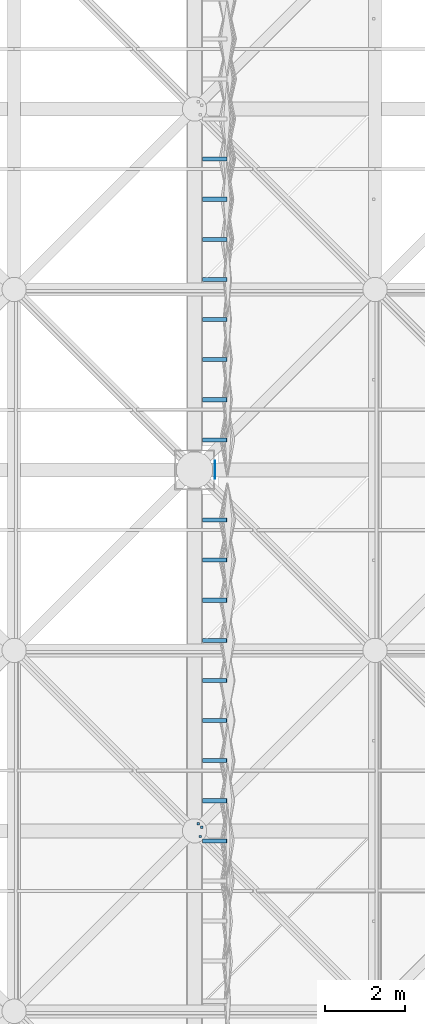
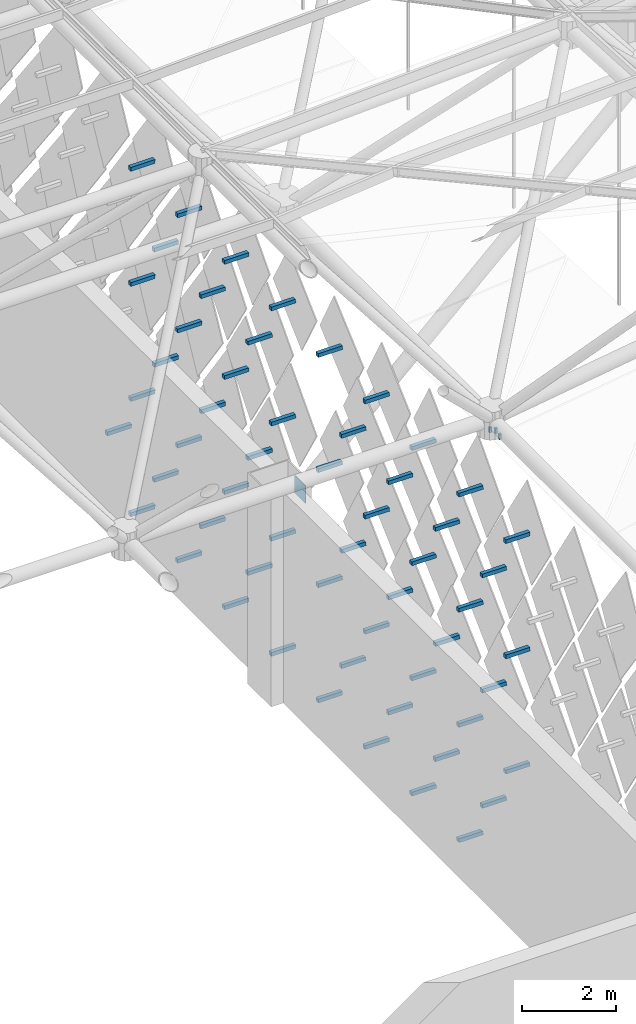
# One storey, part 375 of 437: 61 discrete accessories.
"""IFC4 building model written with IfcOpenShell, lengths in metres."""

from ifc_helpers import new_model, si_unit, direction, frame, origin, place, context, subcontext, project, spatial, polyline, outline, extrude, material, layer, layer_set, type_object, element, save


model = new_model("IFC4")

# Units and contexts
model_context = context("Model", 3, precision=1e-05, world=origin(), true_north=direction((0.0, 1.0)))
body_context = subcontext(model_context, "Body", "Model", "MODEL_VIEW")
ifc_project = project(units=[si_unit("LENGTHUNIT", "METRE"), si_unit("AREAUNIT", "SQUARE_METRE"), si_unit("VOLUMEUNIT", "CUBIC_METRE"), si_unit("PLANEANGLEUNIT", "RADIAN"), si_unit("MASSUNIT", "GRAM", prefix="KILO")], contexts=[model_context])

# Site, building, storey
site_placement = place(None, origin())
site = spatial("IfcSite", under=ifc_project, at=site_placement, CompositionType="ELEMENT")
building_placement = place(site_placement, origin())
building = spatial("IfcBuilding", under=site, at=building_placement, Name="Opaline Strait Convention Centre", CompositionType="ELEMENT")
storey_placement = place(building_placement, frame((0.0, 0.0, 11.5)))
storey = spatial("IfcBuildingStorey", under=building, at=storey_placement, Name="L02", CompositionType="ELEMENT", Elevation=11.5)

# Discrete accessories
ifc_material_1 = material(Name="Structural steel Q355B", Category="steel")
ifc_layer = layer(ifc_material_1, 0.01611328125)
ifc_layer_set = layer_set([ifc_layer], Name="Structural steel Q355B")
discrete_accessory_type_1 = type_object("IfcDiscreteAccessoryType", Name="Prop bearing plate 450 x 450 x 16", PredefinedType="ANCHORPLATE", material=ifc_layer_set)
discrete_accessory_1_placement = place(storey_placement, frame((0.0, 0.0, 4.7900390625)))
element("IfcDiscreteAccessory", 1, at=discrete_accessory_1_placement, inside=storey, type_object=discrete_accessory_type_1, Name="Prop bearing plate 261/90 E", PredefinedType="ANCHORPLATE", context=body_context, shape_type="SweptSolid", body=[
    extrude(outline(polyline([(261.5, 89.77490234375), (261.51611328125, 89.77490234375), (261.51611328125, 90.22509765625), (261.5, 90.22509765625), (261.5, 89.77490234375)])), origin(), (0.0, 0.0, 1.0), 0.449951171875),
])
ifc_material_2 = material(Name="Steel Q355B", Category="steel")
discrete_accessory_type_2 = type_object("IfcDiscreteAccessoryType", Name="Soffit hanger 60x60 steel", PredefinedType="BRACKET", material=ifc_material_2)
discrete_accessory_2_placement = place(storey_placement, frame((0.0, 0.0, 11.9990234375)))
element("IfcDiscreteAccessory", 2, at=discrete_accessory_2_placement, inside=storey, type_object=discrete_accessory_type_2, Name="Soffit hanger", PredefinedType="BRACKET", context=body_context, shape_type="SweptSolid", body=[
    extrude(outline(polyline([(261.111328125, 80.82861328125), (261.17138671875, 80.82861328125), (261.17138671875, 80.888671875), (261.111328125, 80.888671875), (261.111328125, 80.82861328125)])), origin(), (0.0, 0.0, 1.0), 0.140869140625),
])
discrete_accessory_3_placement = place(storey_placement, frame((0.0, 0.0, 11.99951171875)))
element("IfcDiscreteAccessory", 3, at=discrete_accessory_3_placement, inside=storey, type_object=discrete_accessory_type_2, Name="Soffit hanger", PredefinedType="BRACKET", context=body_context, shape_type="SweptSolid", body=[
    extrude(outline(polyline([(261.14892578125, 81.059326171875), (261.208984375, 81.059326171875), (261.208984375, 81.119140625), (261.14892578125, 81.119140625), (261.14892578125, 81.059326171875)])), origin(), (0.0, 0.0, 1.0), 0.140380859375),
])
discrete_accessory_4_placement = place(storey_placement, frame((0.0, 0.0, 12.000732421875)))
element("IfcDiscreteAccessory", 4, at=discrete_accessory_4_placement, inside=storey, type_object=discrete_accessory_type_2, Name="Soffit hanger", PredefinedType="BRACKET", context=body_context, shape_type="SweptSolid", body=[
    extrude(outline(polyline([(261.059326171875, 81.14892578125), (261.119140625, 81.14892578125), (261.119140625, 81.208984375), (261.059326171875, 81.208984375), (261.059326171875, 81.14892578125)])), origin(), (0.0, 0.0, 1.0), 0.13916015625),
])
discrete_accessory_type_3 = type_object("IfcDiscreteAccessoryType", Name="Tile bracket 100x100 steel", PredefinedType="BRACKET", material=ifc_material_2)
discrete_accessory_5_placement = place(storey_placement, frame((261.199951171875, 82.699951171875, 0.39208984375), z_axis=(0.0, 1.0, 0.0), x_axis=(-1.0, 0.0, 0.0)))
element("IfcDiscreteAccessory", 5, at=discrete_accessory_5_placement, inside=storey, type_object=discrete_accessory_type_3, Name="Tile bracket XT14 E", PredefinedType="BRACKET", context=body_context, shape_type="SweptSolid", body=[
    extrude(outline(polyline([(0.0, -0.050048828125), (0.0, 0.050048828125), (-0.59375, 0.050048828125), (-0.606201171875, -0.050048828125), (0.0, -0.050048828125)])), origin(), (0.0, 0.0, 1.0), 0.10009765625),
])
discrete_accessory_6_placement = place(storey_placement, frame((261.199951171875, 84.699951171875, 0.39208984375), z_axis=(0.0, 1.0, 0.0), x_axis=(-1.0, 0.0, 0.0)))
element("IfcDiscreteAccessory", 6, at=discrete_accessory_6_placement, inside=storey, type_object=discrete_accessory_type_3, Name="Tile bracket XT12 E", PredefinedType="BRACKET", context=body_context, shape_type="SweptSolid", body=[
    extrude(outline(polyline([(0.0, -0.050048828125), (0.0, 0.050048828125), (-0.5947265625, 0.050048828125), (-0.605224609375, -0.050048828125), (0.0, -0.050048828125)])), origin(), (0.0, 0.0, 1.0), 0.10009765625),
])
discrete_accessory_7_placement = place(storey_placement, frame((261.199951171875, 86.699951171875, 0.39208984375), z_axis=(0.0, 1.0, 0.0), x_axis=(-1.0, 0.0, 0.0)))
element("IfcDiscreteAccessory", 7, at=discrete_accessory_7_placement, inside=storey, type_object=discrete_accessory_type_3, Name="Tile bracket XT08 E", PredefinedType="BRACKET", context=body_context, shape_type="SweptSolid", body=[
    extrude(outline(polyline([(0.0, -0.050048828125), (0.0, 0.050048828125), (-0.596435546875, 0.050048828125), (-0.603515625, -0.050048828125), (0.0, -0.050048828125)])), origin(), (0.0, 0.0, 1.0), 0.10009765625),
])
discrete_accessory_8_placement = place(storey_placement, frame((261.199951171875, 88.699951171875, 0.39208984375), z_axis=(0.0, 1.0, 0.0), x_axis=(-1.0, 0.0, 0.0)))
element("IfcDiscreteAccessory", 8, at=discrete_accessory_8_placement, inside=storey, type_object=discrete_accessory_type_3, Name="Tile bracket XT06 E", PredefinedType="BRACKET", context=body_context, shape_type="SweptSolid", body=[
    extrude(outline(polyline([(0.0, -0.050048828125), (0.0, 0.050048828125), (-0.597412109375, 0.050048828125), (-0.6025390625, -0.050048828125), (0.0, -0.050048828125)])), origin(), (0.0, 0.0, 1.0), 0.10009765625),
])
discrete_accessory_9_placement = place(storey_placement, frame((261.199951171875, 90.699951171875, 0.39208984375), z_axis=(0.0, 1.0, 0.0), x_axis=(-1.0, 0.0, 0.0)))
element("IfcDiscreteAccessory", 9, at=discrete_accessory_9_placement, inside=storey, type_object=discrete_accessory_type_3, Name="Tile bracket XT06 E", PredefinedType="BRACKET", context=body_context, shape_type="SweptSolid", body=[
    extrude(outline(polyline([(0.0, -0.050048828125), (0.0, 0.050048828125), (-0.6025390625, 0.050048828125), (-0.597412109375, -0.050048828125), (0.0, -0.050048828125)])), origin(), (0.0, 0.0, 1.0), 0.10009765625),
])
discrete_accessory_10_placement = place(storey_placement, frame((261.199951171875, 92.699951171875, 0.39208984375), z_axis=(0.0, 1.0, 0.0), x_axis=(-1.0, 0.0, 0.0)))
element("IfcDiscreteAccessory", 10, at=discrete_accessory_10_placement, inside=storey, type_object=discrete_accessory_type_3, Name="Tile bracket XT08 E", PredefinedType="BRACKET", context=body_context, shape_type="SweptSolid", body=[
    extrude(outline(polyline([(0.0, -0.050048828125), (0.0, 0.050048828125), (-0.603515625, 0.050048828125), (-0.596435546875, -0.050048828125), (0.0, -0.050048828125)])), origin(), (0.0, 0.0, 1.0), 0.10009765625),
])
discrete_accessory_11_placement = place(storey_placement, frame((261.199951171875, 94.699951171875, 0.39208984375), z_axis=(0.0, 1.0, 0.0), x_axis=(-1.0, 0.0, 0.0)))
element("IfcDiscreteAccessory", 11, at=discrete_accessory_11_placement, inside=storey, type_object=discrete_accessory_type_3, Name="Tile bracket XT13 E", PredefinedType="BRACKET", context=body_context, shape_type="SweptSolid", body=[
    extrude(outline(polyline([(0.0, -0.050048828125), (0.0, 0.050048828125), (-0.605712890625, 0.050048828125), (-0.59423828125, -0.050048828125), (0.0, -0.050048828125)])), origin(), (0.0, 0.0, 1.0), 0.10009765625),
])
discrete_accessory_12_placement = place(storey_placement, frame((261.199951171875, 96.699951171875, 0.39208984375), z_axis=(0.0, 1.0, 0.0), x_axis=(-1.0, 0.0, 0.0)))
element("IfcDiscreteAccessory", 12, at=discrete_accessory_12_placement, inside=storey, type_object=discrete_accessory_type_3, Name="Tile bracket XT16 E", PredefinedType="BRACKET", context=body_context, shape_type="SweptSolid", body=[
    extrude(outline(polyline([(0.0, -0.050048828125), (0.0, 0.050048828125), (-0.60693359375, 0.050048828125), (-0.593017578125, -0.050048828125), (0.0, -0.050048828125)])), origin(), (0.0, 0.0, 1.0), 0.10009765625),
])
for number, where, z_axis, x_axis, name in (
    (13, (261.199951171875, 81.699951171875, 1.89208984375), (0.0, 1.0, 0.0), (-1.0, 0.0, 0.0), "Tile bracket XT14 E"),
    (14, (261.199951171875, 83.699951171875, 1.89208984375), (0.0, 1.0, 0.0), (-1.0, 0.0, 0.0), "Tile bracket XT14 E"),
):
    element("IfcDiscreteAccessory", number, at=place(storey_placement, frame(where, z_axis=z_axis, x_axis=x_axis)), inside=storey, type_object=discrete_accessory_type_3, Name=name, PredefinedType="BRACKET", context=body_context, shape_type="SweptSolid", body=[
        extrude(outline(polyline([(0.0, -0.050048828125), (0.0, 0.050048828125), (-0.59375, 0.050048828125), (-0.606201171875, -0.050048828125), (0.0, -0.050048828125)])), origin(), (0.0, 0.0, 1.0), 0.10009765625),
    ])
discrete_accessory_13_placement = place(storey_placement, frame((261.199951171875, 85.699951171875, 1.89208984375), z_axis=(0.0, 1.0, 0.0), x_axis=(-1.0, 0.0, 0.0)))
element("IfcDiscreteAccessory", 15, at=discrete_accessory_13_placement, inside=storey, type_object=discrete_accessory_type_3, Name="Tile bracket XT12 E", PredefinedType="BRACKET", context=body_context, shape_type="SweptSolid", body=[
    extrude(outline(polyline([(0.0, -0.050048828125), (0.0, 0.050048828125), (-0.5947265625, 0.050048828125), (-0.605224609375, -0.050048828125), (0.0, -0.050048828125)])), origin(), (0.0, 0.0, 1.0), 0.10009765625),
])
discrete_accessory_14_placement = place(storey_placement, frame((261.199951171875, 87.699951171875, 1.89208984375), z_axis=(0.0, 1.0, 0.0), x_axis=(-1.0, 0.0, 0.0)))
element("IfcDiscreteAccessory", 16, at=discrete_accessory_14_placement, inside=storey, type_object=discrete_accessory_type_3, Name="Tile bracket XT09 E", PredefinedType="BRACKET", context=body_context, shape_type="SweptSolid", body=[
    extrude(outline(polyline([(0.0, -0.050048828125), (0.0, 0.050048828125), (-0.595947265625, 0.050048828125), (-0.60400390625, -0.050048828125), (0.0, -0.050048828125)])), origin(), (0.0, 0.0, 1.0), 0.10009765625),
])
discrete_accessory_15_placement = place(storey_placement, frame((261.199951171875, 91.699951171875, 1.89208984375), z_axis=(0.0, 1.0, 0.0), x_axis=(-1.0, 0.0, 0.0)))
element("IfcDiscreteAccessory", 17, at=discrete_accessory_15_placement, inside=storey, type_object=discrete_accessory_type_3, Name="Tile bracket XT06 E", PredefinedType="BRACKET", context=body_context, shape_type="SweptSolid", body=[
    extrude(outline(polyline([(0.0, -0.050048828125), (0.0, 0.050048828125), (-0.6025390625, 0.050048828125), (-0.597412109375, -0.050048828125), (0.0, -0.050048828125)])), origin(), (0.0, 0.0, 1.0), 0.10009765625),
])
discrete_accessory_16_placement = place(storey_placement, frame((261.199951171875, 93.699951171875, 1.89208984375), z_axis=(0.0, 1.0, 0.0), x_axis=(-1.0, 0.0, 0.0)))
element("IfcDiscreteAccessory", 18, at=discrete_accessory_16_placement, inside=storey, type_object=discrete_accessory_type_3, Name="Tile bracket XT07 E", PredefinedType="BRACKET", context=body_context, shape_type="SweptSolid", body=[
    extrude(outline(polyline([(0.0, -0.050048828125), (0.0, 0.050048828125), (-0.60302734375, 0.050048828125), (-0.596923828125, -0.050048828125), (0.0, -0.050048828125)])), origin(), (0.0, 0.0, 1.0), 0.10009765625),
])
discrete_accessory_17_placement = place(storey_placement, frame((261.199951171875, 95.699951171875, 1.89208984375), z_axis=(0.0, 1.0, 0.0), x_axis=(-1.0, 0.0, 0.0)))
element("IfcDiscreteAccessory", 19, at=discrete_accessory_17_placement, inside=storey, type_object=discrete_accessory_type_3, Name="Tile bracket XT12 E", PredefinedType="BRACKET", context=body_context, shape_type="SweptSolid", body=[
    extrude(outline(polyline([(0.0, -0.050048828125), (0.0, 0.050048828125), (-0.605224609375, 0.050048828125), (-0.5947265625, -0.050048828125), (0.0, -0.050048828125)])), origin(), (0.0, 0.0, 1.0), 0.10009765625),
])
discrete_accessory_18_placement = place(storey_placement, frame((261.199951171875, 97.699951171875, 1.89208984375), z_axis=(0.0, 1.0, 0.0), x_axis=(-1.0, 0.0, 0.0)))
element("IfcDiscreteAccessory", 20, at=discrete_accessory_18_placement, inside=storey, type_object=discrete_accessory_type_3, Name="Tile bracket XT16 E", PredefinedType="BRACKET", context=body_context, shape_type="SweptSolid", body=[
    extrude(outline(polyline([(0.0, -0.050048828125), (0.0, 0.050048828125), (-0.60693359375, 0.050048828125), (-0.593017578125, -0.050048828125), (0.0, -0.050048828125)])), origin(), (0.0, 0.0, 1.0), 0.10009765625),
])
discrete_accessory_19_placement = place(storey_placement, frame((261.199951171875, 80.699951171875, 3.39208984375), z_axis=(0.0, 1.0, 0.0), x_axis=(-1.0, 0.0, 0.0)))
element("IfcDiscreteAccessory", 21, at=discrete_accessory_19_placement, inside=storey, type_object=discrete_accessory_type_3, Name="Tile bracket XT13 E", PredefinedType="BRACKET", context=body_context, shape_type="SweptSolid", body=[
    extrude(outline(polyline([(0.0, -0.050048828125), (0.0, 0.050048828125), (-0.59423828125, 0.050048828125), (-0.605712890625, -0.050048828125), (0.0, -0.050048828125)])), origin(), (0.0, 0.0, 1.0), 0.10009765625),
])
discrete_accessory_20_placement = place(storey_placement, frame((261.199951171875, 82.699951171875, 3.39208984375), z_axis=(0.0, 1.0, 0.0), x_axis=(-1.0, 0.0, 0.0)))
element("IfcDiscreteAccessory", 22, at=discrete_accessory_20_placement, inside=storey, type_object=discrete_accessory_type_3, Name="Tile bracket XT15 E", PredefinedType="BRACKET", context=body_context, shape_type="SweptSolid", body=[
    extrude(outline(polyline([(0.0, -0.050048828125), (0.0, 0.050048828125), (-0.593505859375, 0.050048828125), (-0.606689453125, -0.050048828125), (0.0, -0.050048828125)])), origin(), (0.0, 0.0, 1.0), 0.10009765625),
])
discrete_accessory_21_placement = place(storey_placement, frame((261.199951171875, 84.699951171875, 3.39208984375), z_axis=(0.0, 1.0, 0.0), x_axis=(-1.0, 0.0, 0.0)))
element("IfcDiscreteAccessory", 23, at=discrete_accessory_21_placement, inside=storey, type_object=discrete_accessory_type_3, Name="Tile bracket XT14 E", PredefinedType="BRACKET", context=body_context, shape_type="SweptSolid", body=[
    extrude(outline(polyline([(0.0, -0.050048828125), (0.0, 0.050048828125), (-0.59375, 0.050048828125), (-0.606201171875, -0.050048828125), (0.0, -0.050048828125)])), origin(), (0.0, 0.0, 1.0), 0.10009765625),
])
discrete_accessory_22_placement = place(storey_placement, frame((261.199951171875, 86.699951171875, 3.39208984375), z_axis=(0.0, 1.0, 0.0), x_axis=(-1.0, 0.0, 0.0)))
element("IfcDiscreteAccessory", 24, at=discrete_accessory_22_placement, inside=storey, type_object=discrete_accessory_type_3, Name="Tile bracket XT12 E", PredefinedType="BRACKET", context=body_context, shape_type="SweptSolid", body=[
    extrude(outline(polyline([(0.0, -0.050048828125), (0.0, 0.050048828125), (-0.5947265625, 0.050048828125), (-0.605224609375, -0.050048828125), (0.0, -0.050048828125)])), origin(), (0.0, 0.0, 1.0), 0.10009765625),
])
discrete_accessory_23_placement = place(storey_placement, frame((261.199951171875, 88.699951171875, 3.39208984375), z_axis=(0.0, 1.0, 0.0), x_axis=(-1.0, 0.0, 0.0)))
element("IfcDiscreteAccessory", 25, at=discrete_accessory_23_placement, inside=storey, type_object=discrete_accessory_type_3, Name="Tile bracket XT09 E", PredefinedType="BRACKET", context=body_context, shape_type="SweptSolid", body=[
    extrude(outline(polyline([(0.0, -0.050048828125), (0.0, 0.050048828125), (-0.595947265625, 0.050048828125), (-0.60400390625, -0.050048828125), (0.0, -0.050048828125)])), origin(), (0.0, 0.0, 1.0), 0.10009765625),
])
discrete_accessory_24_placement = place(storey_placement, frame((261.199951171875, 90.699951171875, 3.39208984375), z_axis=(0.0, 1.0, 0.0), x_axis=(-1.0, 0.0, 0.0)))
element("IfcDiscreteAccessory", 26, at=discrete_accessory_24_placement, inside=storey, type_object=discrete_accessory_type_3, Name="Tile bracket XT06 E", PredefinedType="BRACKET", context=body_context, shape_type="SweptSolid", body=[
    extrude(outline(polyline([(0.0, -0.050048828125), (0.0, 0.050048828125), (-0.597412109375, 0.050048828125), (-0.6025390625, -0.050048828125), (0.0, -0.050048828125)])), origin(), (0.0, 0.0, 1.0), 0.10009765625),
])
discrete_accessory_25_placement = place(storey_placement, frame((261.199951171875, 92.699951171875, 3.39208984375), z_axis=(0.0, 1.0, 0.0), x_axis=(-1.0, 0.0, 0.0)))
element("IfcDiscreteAccessory", 27, at=discrete_accessory_25_placement, inside=storey, type_object=discrete_accessory_type_3, Name="Tile bracket XT06 E", PredefinedType="BRACKET", context=body_context, shape_type="SweptSolid", body=[
    extrude(outline(polyline([(0.0, -0.050048828125), (0.0, 0.050048828125), (-0.6025390625, 0.050048828125), (-0.597412109375, -0.050048828125), (0.0, -0.050048828125)])), origin(), (0.0, 0.0, 1.0), 0.10009765625),
])
discrete_accessory_26_placement = place(storey_placement, frame((261.199951171875, 94.699951171875, 3.39208984375), z_axis=(0.0, 1.0, 0.0), x_axis=(-1.0, 0.0, 0.0)))
element("IfcDiscreteAccessory", 28, at=discrete_accessory_26_placement, inside=storey, type_object=discrete_accessory_type_3, Name="Tile bracket XT07 E", PredefinedType="BRACKET", context=body_context, shape_type="SweptSolid", body=[
    extrude(outline(polyline([(0.0, -0.050048828125), (0.0, 0.050048828125), (-0.60302734375, 0.050048828125), (-0.596923828125, -0.050048828125), (0.0, -0.050048828125)])), origin(), (0.0, 0.0, 1.0), 0.10009765625),
])
discrete_accessory_27_placement = place(storey_placement, frame((261.199951171875, 96.699951171875, 3.39208984375), z_axis=(0.0, 1.0, 0.0), x_axis=(-1.0, 0.0, 0.0)))
element("IfcDiscreteAccessory", 29, at=discrete_accessory_27_placement, inside=storey, type_object=discrete_accessory_type_3, Name="Tile bracket XT12 E", PredefinedType="BRACKET", context=body_context, shape_type="SweptSolid", body=[
    extrude(outline(polyline([(0.0, -0.050048828125), (0.0, 0.050048828125), (-0.605224609375, 0.050048828125), (-0.5947265625, -0.050048828125), (0.0, -0.050048828125)])), origin(), (0.0, 0.0, 1.0), 0.10009765625),
])
discrete_accessory_28_placement = place(storey_placement, frame((261.199951171875, 81.699951171875, 4.89208984375), z_axis=(0.0, 1.0, 0.0), x_axis=(-1.0, 0.0, 0.0)))
element("IfcDiscreteAccessory", 30, at=discrete_accessory_28_placement, inside=storey, type_object=discrete_accessory_type_3, Name="Tile bracket XT13 E", PredefinedType="BRACKET", context=body_context, shape_type="SweptSolid", body=[
    extrude(outline(polyline([(0.0, -0.050048828125), (0.0, 0.050048828125), (-0.59423828125, 0.050048828125), (-0.605712890625, -0.050048828125), (0.0, -0.050048828125)])), origin(), (0.0, 0.0, 1.0), 0.10009765625),
])
for number, where, z_axis, x_axis, name in (
    (31, (261.199951171875, 83.699951171875, 4.89208984375), (0.0, 1.0, 0.0), (-1.0, 0.0, 0.0), "Tile bracket XT15 E"),
    (32, (261.199951171875, 85.699951171875, 4.89208984375), (0.0, 1.0, 0.0), (-1.0, 0.0, 0.0), "Tile bracket XT15 E"),
):
    element("IfcDiscreteAccessory", number, at=place(storey_placement, frame(where, z_axis=z_axis, x_axis=x_axis)), inside=storey, type_object=discrete_accessory_type_3, Name=name, PredefinedType="BRACKET", context=body_context, shape_type="SweptSolid", body=[
        extrude(outline(polyline([(0.0, -0.050048828125), (0.0, 0.050048828125), (-0.593505859375, 0.050048828125), (-0.606689453125, -0.050048828125), (0.0, -0.050048828125)])), origin(), (0.0, 0.0, 1.0), 0.10009765625),
    ])
discrete_accessory_29_placement = place(storey_placement, frame((261.199951171875, 87.699951171875, 4.89208984375), z_axis=(0.0, 1.0, 0.0), x_axis=(-1.0, 0.0, 0.0)))
element("IfcDiscreteAccessory", 33, at=discrete_accessory_29_placement, inside=storey, type_object=discrete_accessory_type_3, Name="Tile bracket XT13 E", PredefinedType="BRACKET", context=body_context, shape_type="SweptSolid", body=[
    extrude(outline(polyline([(0.0, -0.050048828125), (0.0, 0.050048828125), (-0.59423828125, 0.050048828125), (-0.605712890625, -0.050048828125), (0.0, -0.050048828125)])), origin(), (0.0, 0.0, 1.0), 0.10009765625),
])
discrete_accessory_30_placement = place(storey_placement, frame((261.199951171875, 91.699951171875, 4.89208984375), z_axis=(0.0, 1.0, 0.0), x_axis=(-1.0, 0.0, 0.0)))
element("IfcDiscreteAccessory", 34, at=discrete_accessory_30_placement, inside=storey, type_object=discrete_accessory_type_3, Name="Tile bracket XT06 E", PredefinedType="BRACKET", context=body_context, shape_type="SweptSolid", body=[
    extrude(outline(polyline([(0.0, -0.050048828125), (0.0, 0.050048828125), (-0.597412109375, 0.050048828125), (-0.6025390625, -0.050048828125), (0.0, -0.050048828125)])), origin(), (0.0, 0.0, 1.0), 0.10009765625),
])
discrete_accessory_31_placement = place(storey_placement, frame((261.199951171875, 93.699951171875, 4.89208984375), z_axis=(0.0, 1.0, 0.0), x_axis=(-1.0, 0.0, 0.0)))
element("IfcDiscreteAccessory", 35, at=discrete_accessory_31_placement, inside=storey, type_object=discrete_accessory_type_3, Name="Tile bracket XT06 E", PredefinedType="BRACKET", context=body_context, shape_type="SweptSolid", body=[
    extrude(outline(polyline([(0.0, -0.050048828125), (0.0, 0.050048828125), (-0.6025390625, 0.050048828125), (-0.597412109375, -0.050048828125), (0.0, -0.050048828125)])), origin(), (0.0, 0.0, 1.0), 0.10009765625),
])
discrete_accessory_32_placement = place(storey_placement, frame((261.199951171875, 95.699951171875, 4.89208984375), z_axis=(0.0, 1.0, 0.0), x_axis=(-1.0, 0.0, 0.0)))
element("IfcDiscreteAccessory", 36, at=discrete_accessory_32_placement, inside=storey, type_object=discrete_accessory_type_3, Name="Tile bracket XT07 E", PredefinedType="BRACKET", context=body_context, shape_type="SweptSolid", body=[
    extrude(outline(polyline([(0.0, -0.050048828125), (0.0, 0.050048828125), (-0.60302734375, 0.050048828125), (-0.596923828125, -0.050048828125), (0.0, -0.050048828125)])), origin(), (0.0, 0.0, 1.0), 0.10009765625),
])
discrete_accessory_33_placement = place(storey_placement, frame((261.199951171875, 80.699951171875, 6.39208984375), z_axis=(0.0, 1.0, 0.0), x_axis=(-1.0, 0.0, 0.0)))
element("IfcDiscreteAccessory", 37, at=discrete_accessory_33_placement, inside=storey, type_object=discrete_accessory_type_3, Name="Tile bracket XT10 E", PredefinedType="BRACKET", context=body_context, shape_type="SweptSolid", body=[
    extrude(outline(polyline([(0.0, -0.050048828125), (0.0, 0.050048828125), (-0.595703125, 0.050048828125), (-0.604248046875, -0.050048828125), (0.0, -0.050048828125)])), origin(), (0.0, 0.0, 1.0), 0.10009765625),
])
discrete_accessory_34_placement = place(storey_placement, frame((261.199951171875, 82.699951171875, 6.39208984375), z_axis=(0.0, 1.0, 0.0), x_axis=(-1.0, 0.0, 0.0)))
element("IfcDiscreteAccessory", 38, at=discrete_accessory_34_placement, inside=storey, type_object=discrete_accessory_type_3, Name="Tile bracket XT13 E", PredefinedType="BRACKET", context=body_context, shape_type="SweptSolid", body=[
    extrude(outline(polyline([(0.0, -0.050048828125), (0.0, 0.050048828125), (-0.59423828125, 0.050048828125), (-0.605712890625, -0.050048828125), (0.0, -0.050048828125)])), origin(), (0.0, 0.0, 1.0), 0.10009765625),
])
for number, where, z_axis, x_axis, name in (
    (39, (261.199951171875, 84.699951171875, 6.39208984375), (0.0, 1.0, 0.0), (-1.0, 0.0, 0.0), "Tile bracket XT15 E"),
    (40, (261.199951171875, 86.699951171875, 6.39208984375), (0.0, 1.0, 0.0), (-1.0, 0.0, 0.0), "Tile bracket XT15 E"),
):
    element("IfcDiscreteAccessory", number, at=place(storey_placement, frame(where, z_axis=z_axis, x_axis=x_axis)), inside=storey, type_object=discrete_accessory_type_3, Name=name, PredefinedType="BRACKET", context=body_context, shape_type="SweptSolid", body=[
        extrude(outline(polyline([(0.0, -0.050048828125), (0.0, 0.050048828125), (-0.593505859375, 0.050048828125), (-0.606689453125, -0.050048828125), (0.0, -0.050048828125)])), origin(), (0.0, 0.0, 1.0), 0.10009765625),
    ])
discrete_accessory_35_placement = place(storey_placement, frame((261.199951171875, 88.699951171875, 6.39208984375), z_axis=(0.0, 1.0, 0.0), x_axis=(-1.0, 0.0, 0.0)))
element("IfcDiscreteAccessory", 41, at=discrete_accessory_35_placement, inside=storey, type_object=discrete_accessory_type_3, Name="Tile bracket XT13 E", PredefinedType="BRACKET", context=body_context, shape_type="SweptSolid", body=[
    extrude(outline(polyline([(0.0, -0.050048828125), (0.0, 0.050048828125), (-0.59423828125, 0.050048828125), (-0.605712890625, -0.050048828125), (0.0, -0.050048828125)])), origin(), (0.0, 0.0, 1.0), 0.10009765625),
])
discrete_accessory_36_placement = place(storey_placement, frame((261.199951171875, 90.699951171875, 6.39208984375), z_axis=(0.0, 1.0, 0.0), x_axis=(-1.0, 0.0, 0.0)))
element("IfcDiscreteAccessory", 42, at=discrete_accessory_36_placement, inside=storey, type_object=discrete_accessory_type_3, Name="Tile bracket XT10 E", PredefinedType="BRACKET", context=body_context, shape_type="SweptSolid", body=[
    extrude(outline(polyline([(0.0, -0.050048828125), (0.0, 0.050048828125), (-0.595703125, 0.050048828125), (-0.604248046875, -0.050048828125), (0.0, -0.050048828125)])), origin(), (0.0, 0.0, 1.0), 0.10009765625),
])
discrete_accessory_37_placement = place(storey_placement, frame((261.199951171875, 92.699951171875, 6.39208984375), z_axis=(0.0, 1.0, 0.0), x_axis=(-1.0, 0.0, 0.0)))
element("IfcDiscreteAccessory", 43, at=discrete_accessory_37_placement, inside=storey, type_object=discrete_accessory_type_3, Name="Tile bracket XT06 E", PredefinedType="BRACKET", context=body_context, shape_type="SweptSolid", body=[
    extrude(outline(polyline([(0.0, -0.050048828125), (0.0, 0.050048828125), (-0.597412109375, 0.050048828125), (-0.6025390625, -0.050048828125), (0.0, -0.050048828125)])), origin(), (0.0, 0.0, 1.0), 0.10009765625),
])
discrete_accessory_38_placement = place(storey_placement, frame((261.199951171875, 94.699951171875, 6.39208984375), z_axis=(0.0, 1.0, 0.0), x_axis=(-1.0, 0.0, 0.0)))
element("IfcDiscreteAccessory", 44, at=discrete_accessory_38_placement, inside=storey, type_object=discrete_accessory_type_3, Name="Tile bracket XT06 E", PredefinedType="BRACKET", context=body_context, shape_type="SweptSolid", body=[
    extrude(outline(polyline([(0.0, -0.050048828125), (0.0, 0.050048828125), (-0.6025390625, 0.050048828125), (-0.597412109375, -0.050048828125), (0.0, -0.050048828125)])), origin(), (0.0, 0.0, 1.0), 0.10009765625),
])
discrete_accessory_39_placement = place(storey_placement, frame((261.199951171875, 96.699951171875, 6.39208984375), z_axis=(0.0, 1.0, 0.0), x_axis=(-1.0, 0.0, 0.0)))
element("IfcDiscreteAccessory", 45, at=discrete_accessory_39_placement, inside=storey, type_object=discrete_accessory_type_3, Name="Tile bracket XT07 E", PredefinedType="BRACKET", context=body_context, shape_type="SweptSolid", body=[
    extrude(outline(polyline([(0.0, -0.050048828125), (0.0, 0.050048828125), (-0.60302734375, 0.050048828125), (-0.596923828125, -0.050048828125), (0.0, -0.050048828125)])), origin(), (0.0, 0.0, 1.0), 0.10009765625),
])
discrete_accessory_40_placement = place(storey_placement, frame((261.199951171875, 81.699951171875, 7.89208984375), z_axis=(0.0, 1.0, 0.0), x_axis=(-1.0, 0.0, 0.0)))
element("IfcDiscreteAccessory", 46, at=discrete_accessory_40_placement, inside=storey, type_object=discrete_accessory_type_3, Name="Tile bracket XT09 E", PredefinedType="BRACKET", context=body_context, shape_type="SweptSolid", body=[
    extrude(outline(polyline([(0.0, -0.050048828125), (0.0, 0.050048828125), (-0.595947265625, 0.050048828125), (-0.60400390625, -0.050048828125), (0.0, -0.050048828125)])), origin(), (0.0, 0.0, 1.0), 0.10009765625),
])
discrete_accessory_41_placement = place(storey_placement, frame((261.199951171875, 83.699951171875, 7.89208984375), z_axis=(0.0, 1.0, 0.0), x_axis=(-1.0, 0.0, 0.0)))
element("IfcDiscreteAccessory", 47, at=discrete_accessory_41_placement, inside=storey, type_object=discrete_accessory_type_3, Name="Tile bracket XT13 E", PredefinedType="BRACKET", context=body_context, shape_type="SweptSolid", body=[
    extrude(outline(polyline([(0.0, -0.050048828125), (0.0, 0.050048828125), (-0.59423828125, 0.050048828125), (-0.605712890625, -0.050048828125), (0.0, -0.050048828125)])), origin(), (0.0, 0.0, 1.0), 0.10009765625),
])
discrete_accessory_42_placement = place(storey_placement, frame((261.199951171875, 85.699951171875, 7.89208984375), z_axis=(0.0, 1.0, 0.0), x_axis=(-1.0, 0.0, 0.0)))
element("IfcDiscreteAccessory", 48, at=discrete_accessory_42_placement, inside=storey, type_object=discrete_accessory_type_3, Name="Tile bracket XT15 E", PredefinedType="BRACKET", context=body_context, shape_type="SweptSolid", body=[
    extrude(outline(polyline([(0.0, -0.050048828125), (0.0, 0.050048828125), (-0.593505859375, 0.050048828125), (-0.606689453125, -0.050048828125), (0.0, -0.050048828125)])), origin(), (0.0, 0.0, 1.0), 0.10009765625),
])
discrete_accessory_43_placement = place(storey_placement, frame((261.199951171875, 87.699951171875, 7.89208984375), z_axis=(0.0, 1.0, 0.0), x_axis=(-1.0, 0.0, 0.0)))
element("IfcDiscreteAccessory", 49, at=discrete_accessory_43_placement, inside=storey, type_object=discrete_accessory_type_3, Name="Tile bracket XT16 E", PredefinedType="BRACKET", context=body_context, shape_type="SweptSolid", body=[
    extrude(outline(polyline([(0.0, -0.050048828125), (0.0, 0.050048828125), (-0.593017578125, 0.050048828125), (-0.60693359375, -0.050048828125), (0.0, -0.050048828125)])), origin(), (0.0, 0.0, 1.0), 0.10009765625),
])
discrete_accessory_44_placement = place(storey_placement, frame((261.199951171875, 91.699951171875, 7.89208984375), z_axis=(0.0, 1.0, 0.0), x_axis=(-1.0, 0.0, 0.0)))
element("IfcDiscreteAccessory", 50, at=discrete_accessory_44_placement, inside=storey, type_object=discrete_accessory_type_3, Name="Tile bracket XT10 E", PredefinedType="BRACKET", context=body_context, shape_type="SweptSolid", body=[
    extrude(outline(polyline([(0.0, -0.050048828125), (0.0, 0.050048828125), (-0.595703125, 0.050048828125), (-0.604248046875, -0.050048828125), (0.0, -0.050048828125)])), origin(), (0.0, 0.0, 1.0), 0.10009765625),
])
discrete_accessory_45_placement = place(storey_placement, frame((261.199951171875, 93.699951171875, 7.89208984375), z_axis=(0.0, 1.0, 0.0), x_axis=(-1.0, 0.0, 0.0)))
element("IfcDiscreteAccessory", 51, at=discrete_accessory_45_placement, inside=storey, type_object=discrete_accessory_type_3, Name="Tile bracket XT06 E", PredefinedType="BRACKET", context=body_context, shape_type="SweptSolid", body=[
    extrude(outline(polyline([(0.0, -0.050048828125), (0.0, 0.050048828125), (-0.597412109375, 0.050048828125), (-0.6025390625, -0.050048828125), (0.0, -0.050048828125)])), origin(), (0.0, 0.0, 1.0), 0.10009765625),
])
discrete_accessory_46_placement = place(storey_placement, frame((261.199951171875, 95.699951171875, 7.89208984375), z_axis=(0.0, 1.0, 0.0), x_axis=(-1.0, 0.0, 0.0)))
element("IfcDiscreteAccessory", 52, at=discrete_accessory_46_placement, inside=storey, type_object=discrete_accessory_type_3, Name="Tile bracket XT06 E", PredefinedType="BRACKET", context=body_context, shape_type="SweptSolid", body=[
    extrude(outline(polyline([(0.0, -0.050048828125), (0.0, 0.050048828125), (-0.6025390625, 0.050048828125), (-0.597412109375, -0.050048828125), (0.0, -0.050048828125)])), origin(), (0.0, 0.0, 1.0), 0.10009765625),
])
discrete_accessory_47_placement = place(storey_placement, frame((261.199951171875, 80.699951171875, 9.39208984375), z_axis=(0.0, 1.0, 0.0), x_axis=(-1.0, 0.0, 0.0)))
element("IfcDiscreteAccessory", 53, at=discrete_accessory_47_placement, inside=storey, type_object=discrete_accessory_type_3, Name="Tile bracket XT05 E", PredefinedType="BRACKET", context=body_context, shape_type="SweptSolid", body=[
    extrude(outline(polyline([(0.0, -0.050048828125), (0.0, 0.050048828125), (-0.597900390625, 0.050048828125), (-0.602294921875, -0.050048828125), (0.0, -0.050048828125)])), origin(), (0.0, 0.0, 1.0), 0.10009765625),
])
discrete_accessory_48_placement = place(storey_placement, frame((261.199951171875, 82.699951171875, 9.39208984375), z_axis=(0.0, 1.0, 0.0), x_axis=(-1.0, 0.0, 0.0)))
element("IfcDiscreteAccessory", 54, at=discrete_accessory_48_placement, inside=storey, type_object=discrete_accessory_type_3, Name="Tile bracket XT10 E", PredefinedType="BRACKET", context=body_context, shape_type="SweptSolid", body=[
    extrude(outline(polyline([(0.0, -0.050048828125), (0.0, 0.050048828125), (-0.595703125, 0.050048828125), (-0.604248046875, -0.050048828125), (0.0, -0.050048828125)])), origin(), (0.0, 0.0, 1.0), 0.10009765625),
])
discrete_accessory_49_placement = place(storey_placement, frame((261.199951171875, 84.699951171875, 9.39208984375), z_axis=(0.0, 1.0, 0.0), x_axis=(-1.0, 0.0, 0.0)))
element("IfcDiscreteAccessory", 55, at=discrete_accessory_49_placement, inside=storey, type_object=discrete_accessory_type_3, Name="Tile bracket XT13 E", PredefinedType="BRACKET", context=body_context, shape_type="SweptSolid", body=[
    extrude(outline(polyline([(0.0, -0.050048828125), (0.0, 0.050048828125), (-0.59423828125, 0.050048828125), (-0.605712890625, -0.050048828125), (0.0, -0.050048828125)])), origin(), (0.0, 0.0, 1.0), 0.10009765625),
])
discrete_accessory_50_placement = place(storey_placement, frame((261.199951171875, 86.699951171875, 9.39208984375), z_axis=(0.0, 1.0, 0.0), x_axis=(-1.0, 0.0, 0.0)))
element("IfcDiscreteAccessory", 56, at=discrete_accessory_50_placement, inside=storey, type_object=discrete_accessory_type_3, Name="Tile bracket XT15 E", PredefinedType="BRACKET", context=body_context, shape_type="SweptSolid", body=[
    extrude(outline(polyline([(0.0, -0.050048828125), (0.0, 0.050048828125), (-0.593505859375, 0.050048828125), (-0.606689453125, -0.050048828125), (0.0, -0.050048828125)])), origin(), (0.0, 0.0, 1.0), 0.10009765625),
])
discrete_accessory_51_placement = place(storey_placement, frame((261.199951171875, 88.699951171875, 9.39208984375), z_axis=(0.0, 1.0, 0.0), x_axis=(-1.0, 0.0, 0.0)))
element("IfcDiscreteAccessory", 57, at=discrete_accessory_51_placement, inside=storey, type_object=discrete_accessory_type_3, Name="Tile bracket XT16 E", PredefinedType="BRACKET", context=body_context, shape_type="SweptSolid", body=[
    extrude(outline(polyline([(0.0, -0.050048828125), (0.0, 0.050048828125), (-0.593017578125, 0.050048828125), (-0.60693359375, -0.050048828125), (0.0, -0.050048828125)])), origin(), (0.0, 0.0, 1.0), 0.10009765625),
])
discrete_accessory_52_placement = place(storey_placement, frame((261.199951171875, 90.699951171875, 9.39208984375), z_axis=(0.0, 1.0, 0.0), x_axis=(-1.0, 0.0, 0.0)))
element("IfcDiscreteAccessory", 58, at=discrete_accessory_52_placement, inside=storey, type_object=discrete_accessory_type_3, Name="Tile bracket XT14 E", PredefinedType="BRACKET", context=body_context, shape_type="SweptSolid", body=[
    extrude(outline(polyline([(0.0, -0.050048828125), (0.0, 0.050048828125), (-0.59375, 0.050048828125), (-0.606201171875, -0.050048828125), (0.0, -0.050048828125)])), origin(), (0.0, 0.0, 1.0), 0.10009765625),
])
discrete_accessory_53_placement = place(storey_placement, frame((261.199951171875, 92.699951171875, 9.39208984375), z_axis=(0.0, 1.0, 0.0), x_axis=(-1.0, 0.0, 0.0)))
element("IfcDiscreteAccessory", 59, at=discrete_accessory_53_placement, inside=storey, type_object=discrete_accessory_type_3, Name="Tile bracket XT10 E", PredefinedType="BRACKET", context=body_context, shape_type="SweptSolid", body=[
    extrude(outline(polyline([(0.0, -0.050048828125), (0.0, 0.050048828125), (-0.595703125, 0.050048828125), (-0.604248046875, -0.050048828125), (0.0, -0.050048828125)])), origin(), (0.0, 0.0, 1.0), 0.10009765625),
])
discrete_accessory_54_placement = place(storey_placement, frame((261.199951171875, 94.699951171875, 9.39208984375), z_axis=(0.0, 1.0, 0.0), x_axis=(-1.0, 0.0, 0.0)))
element("IfcDiscreteAccessory", 60, at=discrete_accessory_54_placement, inside=storey, type_object=discrete_accessory_type_3, Name="Tile bracket XT06 E", PredefinedType="BRACKET", context=body_context, shape_type="SweptSolid", body=[
    extrude(outline(polyline([(0.0, -0.050048828125), (0.0, 0.050048828125), (-0.597412109375, 0.050048828125), (-0.6025390625, -0.050048828125), (0.0, -0.050048828125)])), origin(), (0.0, 0.0, 1.0), 0.10009765625),
])
discrete_accessory_55_placement = place(storey_placement, frame((261.199951171875, 96.699951171875, 9.39208984375), z_axis=(0.0, 1.0, 0.0), x_axis=(-1.0, 0.0, 0.0)))
element("IfcDiscreteAccessory", 61, at=discrete_accessory_55_placement, inside=storey, type_object=discrete_accessory_type_3, Name="Tile bracket XT06 E", PredefinedType="BRACKET", context=body_context, shape_type="SweptSolid", body=[
    extrude(outline(polyline([(0.0, -0.050048828125), (0.0, 0.050048828125), (-0.6025390625, 0.050048828125), (-0.597412109375, -0.050048828125), (0.0, -0.050048828125)])), origin(), (0.0, 0.0, 1.0), 0.10009765625),
])

save(model, "model.ifc")
